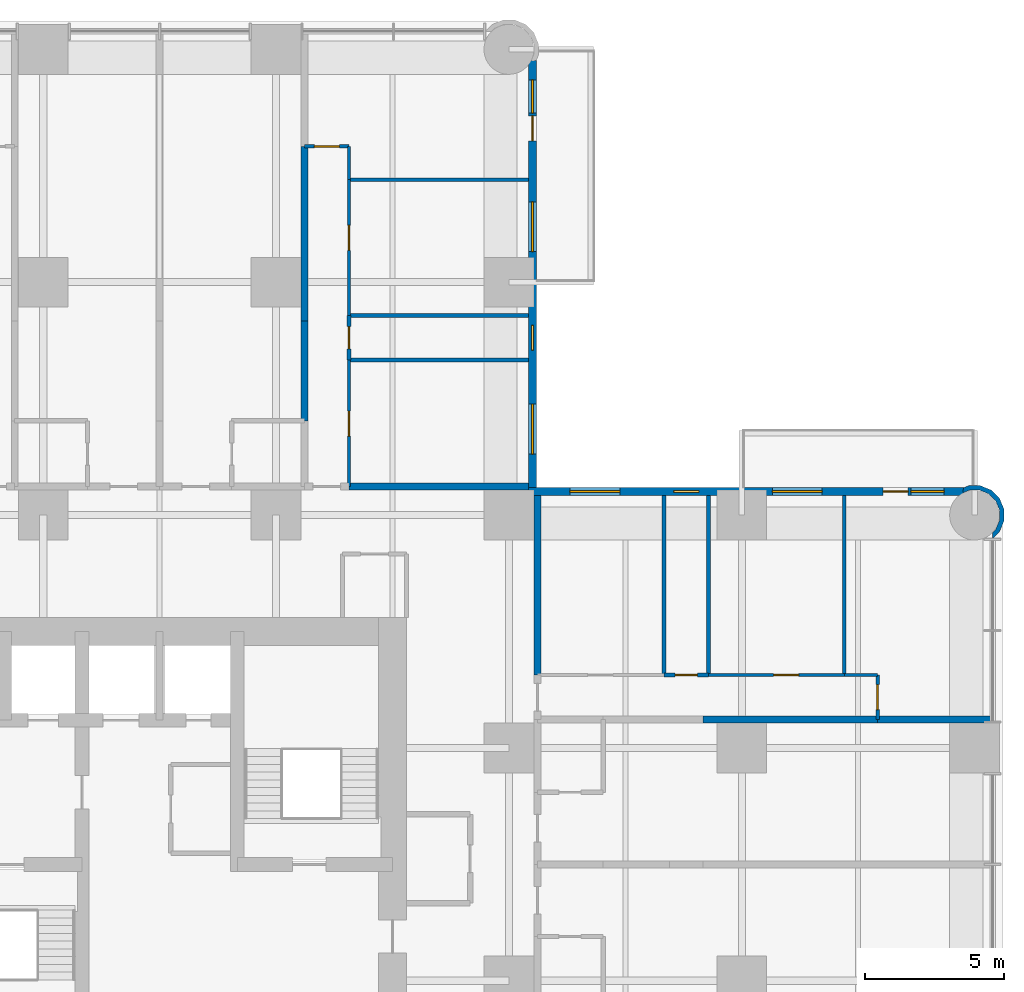
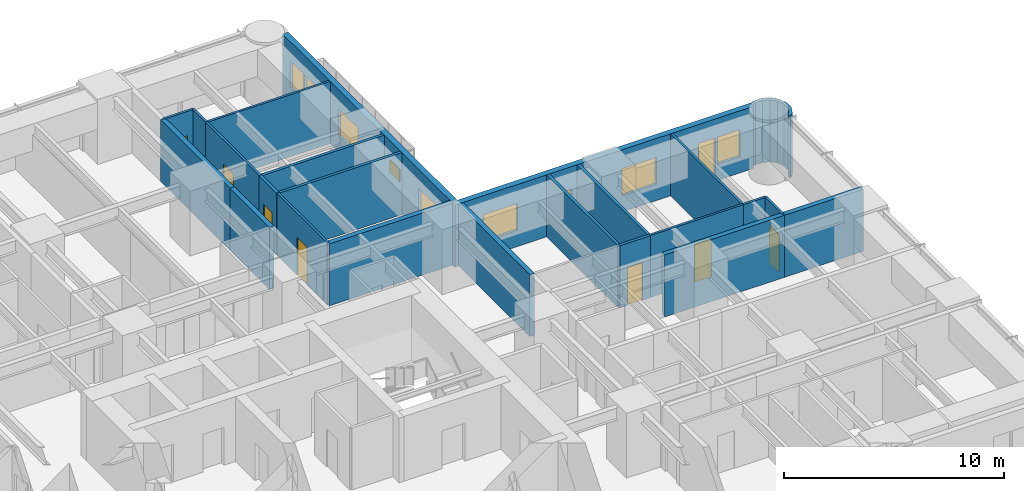
# One storey, part 14 of 17: 24 walls, 9 doors, 8 windows, 17 openings.
"""IFC4 building model written with IfcOpenShell, lengths in metres."""

import ifcopenshell
import ifcopenshell.guid

model = None  # the IFC model being written
_history = None  # IfcOwnerHistory: only IFC2X3 demands one
_inside = {}  # id of a spatial element -> (the spatial element, [elements in it])
_under = {}  # id of a project, library or spatial element -> (it, [spatial elements below it])
_declared = {}  # id of a project -> (the project, [libraries it declares])
_typed = {}  # id of a type object -> (the type object, [elements of that type])
_made_of = {}  # id of a material, layer set ... -> (it, [elements and type objects made of it])


def new_model(schema):
    """Start an empty IFC model of exactly this schema.

    Asked for "IFC4X3", IfcOpenShell would pick the latest addendum, in which some entities
    have other attributes; the version numbers below select the first issue.
    IFC2X3 requires an IfcOwnerHistory on every rooted entity: one is made here for all.
    """
    global model, _history
    if schema == "IFC4X3":
        model = ifcopenshell.file(schema_version=(4, 3, 0, 0))
    else:
        model = ifcopenshell.file(schema=schema)
    _inside.clear()
    _under.clear()
    _declared.clear()
    _typed.clear()
    _made_of.clear()
    _history = None
    if model.schema == "IFC2X3":
        org = make("IfcOrganization", Name="unknown")
        user = make(
            "IfcPersonAndOrganization",
            ThePerson=make("IfcPerson", FamilyName="unknown"),
            TheOrganization=org,
        )
        app = make(
            "IfcApplication",
            ApplicationDeveloper=org,
            Version="unknown",
            ApplicationFullName="unknown",
            ApplicationIdentifier="unknown",
        )
        _history = make(
            "IfcOwnerHistory",
            OwningUser=user,
            OwningApplication=app,
            ChangeAction="ADDED",
            CreationDate=0,
        )
    return model


def make(cls, **values):
    """One entity of the class cls with the attributes given. An attribute that is None is left unset."""
    return model.create_entity(
        cls, **{name: value for name, value in values.items() if value is not None}
    )


def rooted(cls, **values):
    """An entity with a GlobalId (a new one), such as an element, a storey or a relation."""
    return make(cls, GlobalId=ifcopenshell.guid.new(), OwnerHistory=_history, **values)


def si_unit(unit_type, name, prefix=None):
    """IfcSIUnit, for example si_unit("LENGTHUNIT", "METRE", prefix="MILLI")."""
    return make("IfcSIUnit", UnitType=unit_type, Prefix=prefix, Name=name)


def assignment(units):
    """IfcUnitAssignment: the units of a project."""
    return None if units is None else make("IfcUnitAssignment", Units=units)


def point(xyz):
    """IfcCartesianPoint."""
    return None if xyz is None else make("IfcCartesianPoint", Coordinates=xyz)


def direction(xyz):
    """IfcDirection."""
    return None if xyz is None else make("IfcDirection", DirectionRatios=xyz)


def frame(location, z_axis=None, x_axis=None):
    """IfcAxis2Placement3D, a coordinate frame: its origin and axes. An axis left out is left unset."""
    return make(
        "IfcAxis2Placement3D",
        Location=point(location),
        Axis=direction(z_axis),
        RefDirection=direction(x_axis),
    )


def frame_2d(location, x_axis=None):
    """IfcAxis2Placement2D, a coordinate frame in the plane: its origin and x axis."""
    return make(
        "IfcAxis2Placement2D", Location=point(location), RefDirection=direction(x_axis)
    )


def origin():
    """The frame at (0, 0, 0) with its axes left unset."""
    return frame((0.0, 0.0, 0.0))


def place(relative_to, where):
    """IfcLocalPlacement: puts the frame where relative to a parent placement (None: the world)."""
    return make(
        "IfcLocalPlacement", PlacementRelTo=relative_to, RelativePlacement=where
    )


def context(
    kind, dimensions, precision=None, world=None, true_north=None, identifier=None
):
    """IfcGeometricRepresentationContext, for example the 3D "Model" context."""
    return make(
        "IfcGeometricRepresentationContext",
        ContextIdentifier=identifier,
        ContextType=kind,
        CoordinateSpaceDimension=dimensions,
        Precision=precision,
        WorldCoordinateSystem=world,
        TrueNorth=true_north,
    )


def subcontext(parent, identifier, kind, view, scale=None):
    """IfcGeometricRepresentationSubContext, for example "Body" below "Model"."""
    return make(
        "IfcGeometricRepresentationSubContext",
        ContextIdentifier=identifier,
        ContextType=kind,
        ParentContext=parent,
        TargetScale=scale,
        TargetView=view,
    )


def project(units=None, contexts=None):
    """IfcProject with its units and contexts."""
    return rooted(
        "IfcProject",
        Name="project",
        RepresentationContexts=contexts,
        UnitsInContext=assignment(units),
    )


def spatial(cls, under=None, at=None, **own):
    """A site, building, storey or space (cls), placed at a placement, below another one or the project."""
    s = rooted(cls, ObjectPlacement=at, **own)
    if under is not None:
        _under.setdefault(under.id(), (under, []))[1].append(s)
    return s


def polyline(points):
    """IfcPolyline through the points."""
    return make("IfcPolyline", Points=[point(p) for p in points])


def profile(cls, at=None, kind="AREA", **sizes):
    """A parametric profile (cls). Its sizes go by their IFC names, for example OverallWidth=200.0."""
    return make(cls, ProfileType=kind, Position=at, **sizes)


def rectangle(**sizes):
    """IfcRectangleProfileDef."""
    return profile("IfcRectangleProfileDef", **sizes)


def outline(outer, holes=None, kind="AREA"):
    """IfcArbitraryClosedProfileDef: a profile drawn as a closed curve; with holes, ...WithVoids."""
    if holes is None:
        return make("IfcArbitraryClosedProfileDef", ProfileType=kind, OuterCurve=outer)
    return make(
        "IfcArbitraryProfileDefWithVoids",
        ProfileType=kind,
        OuterCurve=outer,
        InnerCurves=holes,
    )


def extrude(swept, where, along, depth):
    """IfcExtrudedAreaSolid: the profile swept, set in the frame where, extruded along a direction by depth."""
    return make(
        "IfcExtrudedAreaSolid",
        SweptArea=swept,
        Position=where,
        ExtrudedDirection=direction(along),
        Depth=depth,
    )


def shape(context_of_items, identifier, shape_type, items):
    """IfcShapeRepresentation: the items that make up one representation, for example the "Body"."""
    return make(
        "IfcShapeRepresentation",
        ContextOfItems=context_of_items,
        RepresentationIdentifier=identifier,
        RepresentationType=shape_type,
        Items=items,
    )


def material(Name=None, Category=None):
    """IfcMaterial."""
    return make("IfcMaterial", Name=Name, Category=Category)


def layer(
    of_material, thickness, ventilated=None, Name=None, Category=None, Priority=None
):
    """IfcMaterialLayer: one layer of a wall or slab, of a material (None: an air gap)."""
    return make(
        "IfcMaterialLayer",
        Material=of_material,
        LayerThickness=thickness,
        IsVentilated=ventilated,
        Name=Name,
        Category=Category,
        Priority=Priority,
    )


def layer_set(layers, Name=None):
    """IfcMaterialLayerSet."""
    return make("IfcMaterialLayerSet", MaterialLayers=layers, LayerSetName=Name)


def made_of(thing, what):
    """Note that an element or type object is made of a material, layer set ...; save() writes the relation."""
    if what is not None:
        _made_of.setdefault(what.id(), (what, []))[1].append(thing)
    return thing


def type_object(cls, material=None, **own):
    """A type object (cls), such as IfcWallType, which elements share."""
    return made_of(rooted(cls, **own), material)


def element(
    cls,
    number,
    at=None,
    inside=None,
    cuts=None,
    type_object=None,
    material=None,
    context=None,
    identifier="Body",
    shape_type=None,
    held_by="IfcProductDefinitionShape",
    body=None,
    shapes=None,
    **own,
):
    """One element of the class cls, such as IfcWall. Its Tag is "e" and its number.

    at: its placement. inside: the storey or other place that contains it. cuts: it is an
    opening in that element (IfcRelVoidsElement). A single representation is given by context,
    identifier, shape_type and body (its items); several are given by shapes. held_by: the class
    of the entity that holds the representations. save() writes the other relations.
    """
    e = rooted(cls, Tag="e%d" % number, ObjectPlacement=at, **own)
    if body is not None:
        shapes = [shape(context, identifier, shape_type, body)]
    if shapes is not None:
        e.Representation = make(held_by, Representations=shapes)
    if inside is not None:
        _inside.setdefault(inside.id(), (inside, []))[1].append(e)
    if cuts is not None:
        rooted(
            "IfcRelVoidsElement", RelatingBuildingElement=cuts, RelatedOpeningElement=e
        )
    if type_object is not None:
        _typed.setdefault(type_object.id(), (type_object, []))[1].append(e)
    return made_of(e, material)


def fill(opening, filler):
    """IfcRelFillsElement: the door or window that sits in an opening."""
    return rooted(
        "IfcRelFillsElement",
        RelatingOpeningElement=opening,
        RelatedBuildingElement=filler,
    )


def aggregate(whole, parts):
    """IfcRelAggregates: a whole, such as a stair, and the parts it consists of."""
    return rooted("IfcRelAggregates", RelatingObject=whole, RelatedObjects=parts)


def save(model, path):
    """Write the relations noted so far, then the file.

    IfcRelAggregates (storeys below a building ...), IfcRelContainedInSpatialStructure (elements
    in a storey), IfcRelDefinesByType, IfcRelAssociatesMaterial and IfcRelDeclares: one each for
    every whole, place, type object, material and project.
    """
    for whole, parts in _under.values():
        aggregate(whole, parts)
    for where, things in _inside.values():
        rooted(
            "IfcRelContainedInSpatialStructure",
            RelatedElements=things,
            RelatingStructure=where,
        )
    for kind, things in _typed.values():
        rooted("IfcRelDefinesByType", RelatedObjects=things, RelatingType=kind)
    for what, things in _made_of.values():
        rooted("IfcRelAssociatesMaterial", RelatedObjects=things, RelatingMaterial=what)
    for by, libraries in _declared.values():
        rooted("IfcRelDeclares", RelatingContext=by, RelatedDefinitions=libraries)
    model.write(path)


model = new_model("IFC4")

# Units and contexts
model_context = context("Model", 3, precision=1e-05, world=origin(), true_north=direction((0.0, 1.0)))
body_context = subcontext(model_context, "Body", "Model", "MODEL_VIEW")
ifc_project = project(units=[si_unit("LENGTHUNIT", "METRE"), si_unit("AREAUNIT", "SQUARE_METRE"), si_unit("VOLUMEUNIT", "CUBIC_METRE"), si_unit("PLANEANGLEUNIT", "RADIAN"), si_unit("MASSUNIT", "GRAM", prefix="KILO")], contexts=[model_context])

# Site, building, storey
site_placement = place(None, origin())
site = spatial("IfcSite", under=ifc_project, at=site_placement, CompositionType="ELEMENT")
building_placement = place(site_placement, origin())
building = spatial("IfcBuilding", under=site, at=building_placement, Name="Torre Alcanfor", CompositionType="ELEMENT")
storey_placement = place(building_placement, frame((0.0, 0.0, 84.89990234375)))
storey = spatial("IfcBuildingStorey", under=building, at=storey_placement, Name="L21", CompositionType="ELEMENT", Elevation=84.89990234375)

# Walls
ifc_material_1 = material(Name="Concrete block masonry, hollow blocks NMX-C-404 9 MPa", Category="masonry")
ifc_layer_1 = layer(ifc_material_1, 0.25)
ifc_layer_set_1 = layer_set([ifc_layer_1], Name="Apartment entrance wall 250 EI 60")
wall_type_1 = type_object("IfcWallType", Name="Apartment entrance wall 250 EI 60", PredefinedType="PARTITIONING", material=ifc_layer_set_1)
for number, where, z_axis, x_axis, name in (
    (1, (36.22900390625, 43.02490234375, 0.0), (0.0, 0.0, 1.0), (1.0, 0.0, 0.0), "Partition L21-CORR / L21-N2B-BED2"),
    (2, (43.02490234375, 42.699951171875, 0.0), (0.0, 0.0, 1.0), (0.0, -1.0, 0.0), "Partition L21-CORR / L21-E1B-BED2"),
):
    element("IfcWall", number, at=place(storey_placement, frame(where, z_axis=z_axis, x_axis=x_axis)), inside=storey, type_object=wall_type_1, Name=name, PredefinedType="PARTITIONING", context=body_context, shape_type="SweptSolid", body=[
        extrude(rectangle(XDim=6.470947265625, YDim=0.25, at=frame_2d((3.2353515625, 0.0))), origin(), (0.0, 0.0, 1.0), 3.4501953125),
    ])

# Wall, opening, door
ifc_material_2 = material(Name="Gypsum board on steel studs", Category="steel")
ifc_layer_2 = layer(ifc_material_2, 0.1201171875)
ifc_layer_set_2 = layer_set([ifc_layer_2], Name="Apartment partition 120")
wall_type_2 = type_object("IfcWallType", Name="Apartment partition 120", PredefinedType="PARTITIONING", material=ifc_layer_set_2)
wall_1_placement = place(storey_placement, frame((36.22900390625, 47.60009765625, 0.0), z_axis=(0.0, 0.0, 1.0), x_axis=(0.0, -1.0, 0.0)))
wall_1 = element("IfcWall", 3, at=wall_1_placement, inside=storey, type_object=wall_type_2, Name="Partition L21-N2B-HALL / L21-N2B-BED2", PredefinedType="PARTITIONING", context=body_context, shape_type="SweptSolid", body=[
    extrude(rectangle(XDim=4.5751953125, YDim=0.1201171875, at=frame_2d((2.28759765625, 0.0))), origin(), (0.0, 0.0, 1.0), 3.4501953125),
])
opening_1_placement = place(wall_1_placement, frame((1.85009765625, 0.0, 0.0)))
opening_1 = element("IfcOpeningElement", 4, at=opening_1_placement, cuts=wall_1, Name="Opening D-R1", PredefinedType="OPENING", context=body_context, shape_type="SweptSolid", body=[
    extrude(rectangle(XDim=0.89990234375, YDim=2.10009765625, at=frame_2d((0.449951171875, 1.050048828125))), frame((0.0, 0.070068359375, 0.0), z_axis=(0.0, -1.0, 0.0), x_axis=(1.0, 0.0, 0.0)), (0.0, 0.0, 1.0), 0.14013671875),
])
ifc_material_3 = material(Name="Timber", Category="wood")
door_type_1 = type_object("IfcDoorType", Name="Internal door 900x2100", OperationType="SINGLE_SWING_LEFT", PredefinedType="DOOR", material=ifc_material_3)
door_1_placement = place(opening_1_placement, origin())
door_1 = element("IfcDoor", 5, at=door_1_placement, inside=storey, type_object=door_type_1, Name="Door L21-N2B bed2", OperationType="SINGLE_SWING_RIGHT", OverallHeight=2.10009765625, OverallWidth=0.89990234375, PredefinedType="DOOR", context=body_context, shape_type="SweptSolid", body=[
    extrude(rectangle(XDim=0.89990234375, YDim=2.10009765625, at=frame_2d((0.449951171875, 1.050048828125))), frame((0.0, 0.02490234375, 0.0), z_axis=(0.0, -1.0, 0.0), x_axis=(1.0, 0.0, 0.0)), (0.0, 0.0, 1.0), 0.050048828125),
])
fill(opening_1, door_1)

wall_2_placement = place(storey_placement, frame((36.22900390625, 54.10009765625, 0.0), z_axis=(0.0, 0.0, 1.0), x_axis=(0.0, -1.0, 0.0)))
wall_2 = element("IfcWall", 6, at=wall_2_placement, inside=storey, type_object=wall_type_2, Name="Partition L21-N2B-HALL / L21-N2B-MASTER", PredefinedType="PARTITIONING", context=body_context, shape_type="SweptSolid", body=[
    extrude(rectangle(XDim=4.900146484375, YDim=0.1201171875, at=frame_2d((2.4501953125, 0.0))), origin(), (0.0, 0.0, 1.0), 3.4501953125),
])
opening_2_placement = place(wall_2_placement, frame((1.64990234375, 0.0, 0.0)))
opening_2 = element("IfcOpeningElement", 7, at=opening_2_placement, cuts=wall_2, Name="Opening D-R1", PredefinedType="OPENING", context=body_context, shape_type="SweptSolid", body=[
    extrude(rectangle(XDim=0.89990234375, YDim=2.10009765625, at=frame_2d((0.449951171875, 1.050048828125))), frame((0.0, 0.070068359375, 0.0), z_axis=(0.0, -1.0, 0.0), x_axis=(1.0, 0.0, 0.0)), (0.0, 0.0, 1.0), 0.14013671875),
])
door_2_placement = place(opening_2_placement, origin())
door_2 = element("IfcDoor", 8, at=door_2_placement, inside=storey, type_object=door_type_1, Name="Door L21-N2B master", OperationType="SINGLE_SWING_LEFT", OverallHeight=2.10009765625, OverallWidth=0.89990234375, PredefinedType="DOOR", context=body_context, shape_type="SweptSolid", body=[
    extrude(rectangle(XDim=0.89990234375, YDim=2.10009765625, at=frame_2d((0.449951171875, 1.050048828125))), frame((0.0, 0.02490234375, 0.0), z_axis=(0.0, -1.0, 0.0), x_axis=(1.0, 0.0, 0.0)), (0.0, 0.0, 1.0), 0.050048828125),
])
fill(opening_2, door_2)

# Wall
wall_3_placement = place(storey_placement, frame((36.22900390625, 55.300048828125, 0.0), z_axis=(0.0, 0.0, 1.0), x_axis=(0.0, -1.0, 0.0)))
element("IfcWall", 9, at=wall_3_placement, inside=storey, type_object=wall_type_2, Name="Partition L21-N2B-HALL / L21-N2B-KITCHEN", PredefinedType="PARTITIONING", context=body_context, shape_type="SweptSolid", body=[
    extrude(rectangle(XDim=1.199951171875, YDim=0.1201171875, at=frame_2d((0.60009765625, 0.0))), origin(), (0.0, 0.0, 1.0), 3.4501953125),
])

# Wall, opening, door
wall_4_placement = place(storey_placement, frame((34.62890625, 55.300048828125, 0.0), z_axis=(0.0, 0.0, 1.0), x_axis=(1.0, 0.0, 0.0)))
wall_4 = element("IfcWall", 10, at=wall_4_placement, inside=storey, type_object=wall_type_2, Name="Partition L21-N2B-HALL / L21-N2B-LIVING", PredefinedType="PARTITIONING", context=body_context, shape_type="SweptSolid", body=[
    extrude(rectangle(XDim=1.60009765625, YDim=0.1201171875, at=frame_2d((0.800048828125, 0.0))), origin(), (0.0, 0.0, 1.0), 3.4501953125),
])
opening_3_placement = place(wall_4_placement, frame((0.35009765625, 0.0, 0.0)))
opening_3 = element("IfcOpeningElement", 11, at=opening_3_placement, cuts=wall_4, Name="Opening D-R1", PredefinedType="OPENING", context=body_context, shape_type="SweptSolid", body=[
    extrude(rectangle(XDim=0.89990234375, YDim=2.10009765625, at=frame_2d((0.449951171875, 1.050048828125))), frame((0.0, 0.070068359375, 0.0), z_axis=(0.0, -1.0, 0.0), x_axis=(1.0, 0.0, 0.0)), (0.0, 0.0, 1.0), 0.14013671875),
])
door_3_placement = place(opening_3_placement, origin())
door_3 = element("IfcDoor", 12, at=door_3_placement, inside=storey, type_object=door_type_1, Name="Door L21-N2B living", OperationType="SINGLE_SWING_LEFT", OverallHeight=2.10009765625, OverallWidth=0.89990234375, PredefinedType="DOOR", context=body_context, shape_type="SweptSolid", body=[
    extrude(rectangle(XDim=0.89990234375, YDim=2.10009765625, at=frame_2d((0.449951171875, 1.050048828125))), frame((0.0, 0.02490234375, 0.0), z_axis=(0.0, -1.0, 0.0), x_axis=(1.0, 0.0, 0.0)), (0.0, 0.0, 1.0), 0.050048828125),
])
fill(opening_3, door_3)

# Wall
wall_5_placement = place(storey_placement, frame((36.22900390625, 54.10009765625, 0.0), z_axis=(0.0, 0.0, 1.0), x_axis=(1.0, 0.0, 0.0)))
element("IfcWall", 13, at=wall_5_placement, inside=storey, type_object=wall_type_2, Name="Partition L21-N2B-MASTER / L21-N2B-KITCHEN", PredefinedType="PARTITIONING", context=body_context, shape_type="SweptSolid", body=[
    extrude(rectangle(XDim=6.470947265625, YDim=0.1201171875, at=frame_2d((3.2353515625, 0.0))), origin(), (0.0, 0.0, 1.0), 3.4501953125),
])

# Wall, opening, door
wall_6_placement = place(storey_placement, frame((54.10009765625, 36.22900390625, 0.0), z_axis=(0.0, 0.0, 1.0), x_axis=(-1.0, 0.0, 0.0)))
wall_6 = element("IfcWall", 14, at=wall_6_placement, inside=storey, type_object=wall_type_2, Name="Partition L21-E1B-HALL / L21-E1B-MASTER", PredefinedType="PARTITIONING", context=body_context, shape_type="SweptSolid", body=[
    extrude(rectangle(XDim=4.900146484375, YDim=0.1201171875, at=frame_2d((2.4501953125, 0.0))), origin(), (0.0, 0.0, 1.0), 3.4501953125),
])
opening_4_placement = place(wall_6_placement, frame((1.64990234375, 0.0, 0.0)))
opening_4 = element("IfcOpeningElement", 15, at=opening_4_placement, cuts=wall_6, Name="Opening D-R1", PredefinedType="OPENING", context=body_context, shape_type="SweptSolid", body=[
    extrude(rectangle(XDim=0.89990234375, YDim=2.10009765625, at=frame_2d((0.449951171875, 1.050048828125))), frame((0.0, 0.070068359375, 0.0), z_axis=(0.0, -1.0, 0.0), x_axis=(1.0, 0.0, 0.0)), (0.0, 0.0, 1.0), 0.14013671875),
])
door_4_placement = place(opening_4_placement, frame((0.89990234375, 0.0, 0.0), z_axis=(0.0, 0.0, 1.0), x_axis=(-1.0, 0.0, 0.0)))
door_4 = element("IfcDoor", 16, at=door_4_placement, inside=storey, type_object=door_type_1, Name="Door L21-E1B master", OperationType="SINGLE_SWING_RIGHT", OverallHeight=2.10009765625, OverallWidth=0.89990234375, PredefinedType="DOOR", context=body_context, shape_type="SweptSolid", body=[
    extrude(rectangle(XDim=0.89990234375, YDim=2.10009765625, at=frame_2d((0.449951171875, 1.050048828125))), frame((0.0, 0.025146484375, 0.0), z_axis=(0.0, -1.0, 0.0), x_axis=(1.0, 0.0, 0.0)), (0.0, 0.0, 1.0), 0.050048828125),
])
fill(opening_4, door_4)

# Wall
wall_7_placement = place(storey_placement, frame((55.300048828125, 36.22900390625, 0.0), z_axis=(0.0, 0.0, 1.0), x_axis=(-1.0, 0.0, 0.0)))
element("IfcWall", 17, at=wall_7_placement, inside=storey, type_object=wall_type_2, Name="Partition L21-E1B-HALL / L21-E1B-KITCHEN", PredefinedType="PARTITIONING", context=body_context, shape_type="SweptSolid", body=[
    extrude(rectangle(XDim=1.199951171875, YDim=0.1201171875, at=frame_2d((0.60009765625, 0.0))), origin(), (0.0, 0.0, 1.0), 3.4501953125),
])

# Wall, opening, door
wall_8_placement = place(storey_placement, frame((55.300048828125, 34.62890625, 0.0), z_axis=(0.0, 0.0, 1.0), x_axis=(0.0, 1.0, 0.0)))
wall_8 = element("IfcWall", 18, at=wall_8_placement, inside=storey, type_object=wall_type_2, Name="Partition L21-E1B-HALL / L21-E1B-LIVING", PredefinedType="PARTITIONING", context=body_context, shape_type="SweptSolid", body=[
    extrude(rectangle(XDim=1.60009765625, YDim=0.1201171875, at=frame_2d((0.800048828125, 0.0))), origin(), (0.0, 0.0, 1.0), 3.4501953125),
])
opening_5_placement = place(wall_8_placement, frame((0.35009765625, 0.0, 0.0)))
opening_5 = element("IfcOpeningElement", 19, at=opening_5_placement, cuts=wall_8, Name="Opening D-R1", PredefinedType="OPENING", context=body_context, shape_type="SweptSolid", body=[
    extrude(rectangle(XDim=0.89990234375, YDim=2.10009765625, at=frame_2d((0.449951171875, 1.050048828125))), frame((0.0, 0.070068359375, 0.0), z_axis=(0.0, -1.0, 0.0), x_axis=(1.0, 0.0, 0.0)), (0.0, 0.0, 1.0), 0.14013671875),
])
door_5_placement = place(opening_5_placement, frame((0.89990234375, 0.0, 0.0), z_axis=(0.0, 0.0, 1.0), x_axis=(-1.0, 0.0, 0.0)))
door_5 = element("IfcDoor", 20, at=door_5_placement, inside=storey, type_object=door_type_1, Name="Door L21-E1B living", OperationType="SINGLE_SWING_RIGHT", OverallHeight=2.10009765625, OverallWidth=0.89990234375, PredefinedType="DOOR", context=body_context, shape_type="SweptSolid", body=[
    extrude(rectangle(XDim=0.89990234375, YDim=2.10009765625, at=frame_2d((0.449951171875, 1.050048828125))), frame((0.0, 0.025146484375, 0.0), z_axis=(0.0, -1.0, 0.0), x_axis=(1.0, 0.0, 0.0)), (0.0, 0.0, 1.0), 0.050048828125),
])
fill(opening_5, door_5)

# Wall
wall_9_placement = place(storey_placement, frame((54.10009765625, 36.22900390625, 0.0), z_axis=(0.0, 0.0, 1.0), x_axis=(0.0, 1.0, 0.0)))
element("IfcWall", 21, at=wall_9_placement, inside=storey, type_object=wall_type_2, Name="Partition L21-E1B-MASTER / L21-E1B-KITCHEN", PredefinedType="PARTITIONING", context=body_context, shape_type="SweptSolid", body=[
    extrude(rectangle(XDim=6.470947265625, YDim=0.1201171875, at=frame_2d((3.2353515625, 0.0))), origin(), (0.0, 0.0, 1.0), 3.4501953125),
])

# Wall, openings, door, windows
ifc_material_4 = material(Name="Limestone cladding", Category="masonry")
ifc_layer_3 = layer(ifc_material_4, 0.0400390625, Name="Facing")
ifc_material_5 = material(Name="Ventilated air cavity")
ifc_layer_4 = layer(ifc_material_5, 0.02001953125, ventilated=True, Name="Ventilated joint")
ifc_material_6 = material(Name="Mineral wool insulation", Category="insulation")
ifc_layer_5 = layer(ifc_material_6, 0.10009765625, Name="Insulation")
ifc_material_7 = material(Name="Concrete f'c 35 MPa", Category="concrete")
ifc_layer_6 = layer(ifc_material_7, 0.139892578125, Name="Backing")
ifc_layer_set_3 = layer_set([ifc_layer_3, ifc_layer_4, ifc_layer_5, ifc_layer_6], Name="External wall stone-clad 300")
wall_type_3 = type_object("IfcWallType", Name="External wall stone-clad 300", PredefinedType="SOLIDWALL", material=ifc_layer_set_3)
wall_10_placement = place(storey_placement, frame((58.39990234375, 42.85009765625, 0.0), z_axis=(0.0, 0.0, 1.0), x_axis=(-1.0, 0.0, 0.0)))
wall_10 = element("IfcWall", 22, at=wall_10_placement, inside=storey, type_object=wall_type_3, Name="External wall L21 9", PredefinedType="SOLIDWALL", context=body_context, shape_type="SweptSolid", body=[
    extrude(rectangle(XDim=15.699951171875, YDim=0.300048828125, at=frame_2d((7.85009765625, 0.0))), origin(), (0.0, 0.0, 1.0), 3.4501953125),
])
opening_6_placement = place(wall_10_placement, frame((12.39990234375, 0.0, 0.89990234375)))
opening_6 = element("IfcOpeningElement", 23, at=opening_6_placement, cuts=wall_10, Name="Opening W2", PredefinedType="OPENING", context=body_context, shape_type="SweptSolid", body=[
    extrude(rectangle(XDim=1.800048828125, YDim=1.5, at=frame_2d((0.89990234375, 0.75))), frame((0.0, 0.159912109375, 0.0), z_axis=(0.0, -1.0, 0.0), x_axis=(1.0, 0.0, 0.0)), (0.0, 0.0, 1.0), 0.320068359375),
])
opening_7_placement = place(wall_10_placement, frame((9.550048828125, 0.0, 1.5)))
opening_7 = element("IfcOpeningElement", 24, at=opening_7_placement, cuts=wall_10, Name="Opening W3", PredefinedType="OPENING", context=body_context, shape_type="SweptSolid", body=[
    extrude(rectangle(XDim=0.89990234375, YDim=0.699951171875, at=frame_2d((0.449951171875, 0.35009765625))), frame((0.0, 0.159912109375, 0.0), z_axis=(0.0, -1.0, 0.0), x_axis=(1.0, 0.0, 0.0)), (0.0, 0.0, 1.0), 0.320068359375),
])
opening_8_placement = place(wall_10_placement, frame((5.10009765625, 0.0, 0.89990234375)))
opening_8 = element("IfcOpeningElement", 25, at=opening_8_placement, cuts=wall_10, Name="Opening W2", PredefinedType="OPENING", context=body_context, shape_type="SweptSolid", body=[
    extrude(rectangle(XDim=1.800048828125, YDim=1.5, at=frame_2d((0.89990234375, 0.75))), frame((0.0, 0.159912109375, 0.0), z_axis=(0.0, -1.0, 0.0), x_axis=(1.0, 0.0, 0.0)), (0.0, 0.0, 1.0), 0.320068359375),
])
opening_9_placement = place(wall_10_placement, frame((2.0, 0.0, 0.0)))
opening_9 = element("IfcOpeningElement", 26, at=opening_9_placement, cuts=wall_10, Name="Opening D-B1", PredefinedType="OPENING", context=body_context, shape_type="SweptSolid", body=[
    extrude(rectangle(XDim=0.89990234375, YDim=2.39990234375, at=frame_2d((0.449951171875, 1.199951171875))), frame((0.0, 0.159912109375, 0.0), z_axis=(0.0, -1.0, 0.0), x_axis=(1.0, 0.0, 0.0)), (0.0, 0.0, 1.0), 0.320068359375),
])
opening_10_placement = place(wall_10_placement, frame((0.699951171875, 0.0, 0.89990234375)))
opening_10 = element("IfcOpeningElement", 27, at=opening_10_placement, cuts=wall_10, Name="Opening W4", PredefinedType="OPENING", context=body_context, shape_type="SweptSolid", body=[
    extrude(rectangle(XDim=1.199951171875, YDim=1.5, at=frame_2d((0.60009765625, 0.75))), frame((0.0, 0.159912109375, 0.0), z_axis=(0.0, -1.0, 0.0), x_axis=(1.0, 0.0, 0.0)), (0.0, 0.0, 1.0), 0.320068359375),
])
ifc_material_8 = material(Name="Aluminium and glass", Category="aluminium")
door_type_2 = type_object("IfcDoorType", Name="Balcony door glazed 900x2400", OperationType="SINGLE_SWING_LEFT", PredefinedType="DOOR", material=ifc_material_8)
door_6_placement = place(opening_9_placement, origin())
door_6 = element("IfcDoor", 28, at=door_6_placement, inside=storey, type_object=door_type_2, Name="Balcony door L21-E1", OperationType="SINGLE_SWING_RIGHT", OverallHeight=2.39990234375, OverallWidth=0.89990234375, PredefinedType="DOOR", context=body_context, shape_type="SweptSolid", body=[
    extrude(rectangle(XDim=0.89990234375, YDim=2.39990234375, at=frame_2d((0.449951171875, 1.199951171875))), frame((0.0, 0.02490234375, 0.0), z_axis=(0.0, -1.0, 0.0), x_axis=(1.0, 0.0, 0.0)), (0.0, 0.0, 1.0), 0.050048828125),
])
fill(opening_9, door_6)
ifc_material_9 = material(Name="Aluminium frame with clear double glazing", Category="aluminium")
window_type_1 = type_object("IfcWindowType", Name="Window bathroom 900x700", PartitioningType="SINGLE_PANEL", PredefinedType="WINDOW", material=ifc_material_9)
window_1_placement = place(opening_7_placement, origin())
window_1 = element("IfcWindow", 29, at=window_1_placement, inside=storey, type_object=window_type_1, Name="Window W3 L21-E1", OverallHeight=0.699951171875, OverallWidth=0.89990234375, PartitioningType="SINGLE_PANEL", PredefinedType="WINDOW", context=body_context, shape_type="SweptSolid", body=[
    extrude(rectangle(XDim=0.89990234375, YDim=0.699951171875, at=frame_2d((0.449951171875, 0.35009765625))), frame((0.0, 0.030029296875, 0.0), z_axis=(0.0, -1.0, 0.0), x_axis=(1.0, 0.0, 0.0)), (0.0, 0.0, 1.0), 0.06005859375),
])
fill(opening_7, window_1)
ifc_material_10 = material(Name="Aluminium frame with clear double glazing", Category="aluminium")
window_type_2 = type_object("IfcWindowType", Name="Window bedroom 1200x1500", PartitioningType="SINGLE_PANEL", PredefinedType="WINDOW", material=ifc_material_10)
window_2_placement = place(opening_10_placement, origin())
window_2 = element("IfcWindow", 30, at=window_2_placement, inside=storey, type_object=window_type_2, Name="Window W4 L21-E1", OverallHeight=1.5, OverallWidth=1.199951171875, PartitioningType="SINGLE_PANEL", PredefinedType="WINDOW", context=body_context, shape_type="SweptSolid", body=[
    extrude(rectangle(XDim=1.199951171875, YDim=1.5, at=frame_2d((0.60009765625, 0.75))), frame((0.0, 0.030029296875, 0.0), z_axis=(0.0, -1.0, 0.0), x_axis=(1.0, 0.0, 0.0)), (0.0, 0.0, 1.0), 0.06005859375),
])
fill(opening_10, window_2)
ifc_material_11 = material(Name="Aluminium frame with clear double glazing", Category="aluminium")
window_type_3 = type_object("IfcWindowType", Name="Window bedroom 1800x1500", PartitioningType="SINGLE_PANEL", PredefinedType="WINDOW", material=ifc_material_11)
window_3_placement = place(opening_6_placement, origin())
window_3 = element("IfcWindow", 31, at=window_3_placement, inside=storey, type_object=window_type_3, Name="Window W2 L21-E1", OverallHeight=1.5, OverallWidth=1.800048828125, PartitioningType="SINGLE_PANEL", PredefinedType="WINDOW", context=body_context, shape_type="SweptSolid", body=[
    extrude(rectangle(XDim=1.800048828125, YDim=1.5, at=frame_2d((0.89990234375, 0.75))), frame((0.0, 0.030029296875, 0.0), z_axis=(0.0, -1.0, 0.0), x_axis=(1.0, 0.0, 0.0)), (0.0, 0.0, 1.0), 0.06005859375),
])
fill(opening_6, window_3)
window_4_placement = place(opening_8_placement, origin())
window_4 = element("IfcWindow", 32, at=window_4_placement, inside=storey, type_object=window_type_3, Name="Window W2 L21-E1", OverallHeight=1.5, OverallWidth=1.800048828125, PartitioningType="SINGLE_PANEL", PredefinedType="WINDOW", context=body_context, shape_type="SweptSolid", body=[
    extrude(rectangle(XDim=1.800048828125, YDim=1.5, at=frame_2d((0.89990234375, 0.75))), frame((0.0, 0.030029296875, 0.0), z_axis=(0.0, -1.0, 0.0), x_axis=(1.0, 0.0, 0.0)), (0.0, 0.0, 1.0), 0.06005859375),
])
fill(opening_8, window_4)

wall_11_placement = place(storey_placement, frame((42.85009765625, 43.0, 0.0), z_axis=(0.0, 0.0, 1.0), x_axis=(0.0, 1.0, 0.0)))
wall_11 = element("IfcWall", 33, at=wall_11_placement, inside=storey, type_object=wall_type_3, Name="External wall L21 10", PredefinedType="SOLIDWALL", context=body_context, shape_type="SweptSolid", body=[
    extrude(rectangle(XDim=15.39990234375, YDim=0.300048828125, at=frame_2d((7.699951171875, 0.0))), origin(), (0.0, 0.0, 1.0), 3.4501953125),
])
opening_11_placement = place(wall_11_placement, frame((1.199951171875, 0.0, 0.89990234375)))
opening_11 = element("IfcOpeningElement", 34, at=opening_11_placement, cuts=wall_11, Name="Opening W2", PredefinedType="OPENING", context=body_context, shape_type="SweptSolid", body=[
    extrude(rectangle(XDim=1.800048828125, YDim=1.5, at=frame_2d((0.89990234375, 0.75))), frame((0.0, 0.159912109375, 0.0), z_axis=(0.0, -1.0, 0.0), x_axis=(1.0, 0.0, 0.0)), (0.0, 0.0, 1.0), 0.320068359375),
])
opening_12_placement = place(wall_11_placement, frame((4.949951171875, 0.0, 1.5)))
opening_12 = element("IfcOpeningElement", 35, at=opening_12_placement, cuts=wall_11, Name="Opening W3", PredefinedType="OPENING", context=body_context, shape_type="SweptSolid", body=[
    extrude(rectangle(XDim=0.89990234375, YDim=0.699951171875, at=frame_2d((0.449951171875, 0.35009765625))), frame((0.0, 0.159912109375, 0.0), z_axis=(0.0, -1.0, 0.0), x_axis=(1.0, 0.0, 0.0)), (0.0, 0.0, 1.0), 0.320068359375),
])
opening_13_placement = place(wall_11_placement, frame((8.5, 0.0, 0.89990234375)))
opening_13 = element("IfcOpeningElement", 36, at=opening_13_placement, cuts=wall_11, Name="Opening W2", PredefinedType="OPENING", context=body_context, shape_type="SweptSolid", body=[
    extrude(rectangle(XDim=1.800048828125, YDim=1.5, at=frame_2d((0.89990234375, 0.75))), frame((0.0, 0.159912109375, 0.0), z_axis=(0.0, -1.0, 0.0), x_axis=(1.0, 0.0, 0.0)), (0.0, 0.0, 1.0), 0.320068359375),
])
opening_14_placement = place(wall_11_placement, frame((12.5, 0.0, 0.0)))
opening_14 = element("IfcOpeningElement", 37, at=opening_14_placement, cuts=wall_11, Name="Opening D-B1", PredefinedType="OPENING", context=body_context, shape_type="SweptSolid", body=[
    extrude(rectangle(XDim=0.89990234375, YDim=2.39990234375, at=frame_2d((0.449951171875, 1.199951171875))), frame((0.0, 0.159912109375, 0.0), z_axis=(0.0, -1.0, 0.0), x_axis=(1.0, 0.0, 0.0)), (0.0, 0.0, 1.0), 0.320068359375),
])
opening_15_placement = place(wall_11_placement, frame((13.5, 0.0, 0.89990234375)))
opening_15 = element("IfcOpeningElement", 38, at=opening_15_placement, cuts=wall_11, Name="Opening W4", PredefinedType="OPENING", context=body_context, shape_type="SweptSolid", body=[
    extrude(rectangle(XDim=1.199951171875, YDim=1.5, at=frame_2d((0.60009765625, 0.75))), frame((0.0, 0.159912109375, 0.0), z_axis=(0.0, -1.0, 0.0), x_axis=(1.0, 0.0, 0.0)), (0.0, 0.0, 1.0), 0.320068359375),
])
door_7_placement = place(opening_14_placement, origin())
door_7 = element("IfcDoor", 39, at=door_7_placement, inside=storey, type_object=door_type_2, Name="Balcony door L21-N2", OperationType="SINGLE_SWING_LEFT", OverallHeight=2.39990234375, OverallWidth=0.89990234375, PredefinedType="DOOR", context=body_context, shape_type="SweptSolid", body=[
    extrude(rectangle(XDim=0.89990234375, YDim=2.39990234375, at=frame_2d((0.449951171875, 1.199951171875))), frame((0.0, 0.02490234375, 0.0), z_axis=(0.0, -1.0, 0.0), x_axis=(1.0, 0.0, 0.0)), (0.0, 0.0, 1.0), 0.050048828125),
])
fill(opening_14, door_7)
window_5_placement = place(opening_12_placement, origin())
window_5 = element("IfcWindow", 40, at=window_5_placement, inside=storey, type_object=window_type_1, Name="Window W3 L21-N2", OverallHeight=0.699951171875, OverallWidth=0.89990234375, PartitioningType="SINGLE_PANEL", PredefinedType="WINDOW", context=body_context, shape_type="SweptSolid", body=[
    extrude(rectangle(XDim=0.89990234375, YDim=0.699951171875, at=frame_2d((0.449951171875, 0.35009765625))), frame((0.0, 0.030029296875, 0.0), z_axis=(0.0, -1.0, 0.0), x_axis=(1.0, 0.0, 0.0)), (0.0, 0.0, 1.0), 0.06005859375),
])
fill(opening_12, window_5)
window_6_placement = place(opening_15_placement, origin())
window_6 = element("IfcWindow", 41, at=window_6_placement, inside=storey, type_object=window_type_2, Name="Window W4 L21-N2", OverallHeight=1.5, OverallWidth=1.199951171875, PartitioningType="SINGLE_PANEL", PredefinedType="WINDOW", context=body_context, shape_type="SweptSolid", body=[
    extrude(rectangle(XDim=1.199951171875, YDim=1.5, at=frame_2d((0.60009765625, 0.75))), frame((0.0, 0.030029296875, 0.0), z_axis=(0.0, -1.0, 0.0), x_axis=(1.0, 0.0, 0.0)), (0.0, 0.0, 1.0), 0.06005859375),
])
fill(opening_15, window_6)
window_7_placement = place(opening_11_placement, origin())
window_7 = element("IfcWindow", 42, at=window_7_placement, inside=storey, type_object=window_type_3, Name="Window W2 L21-N2", OverallHeight=1.5, OverallWidth=1.800048828125, PartitioningType="SINGLE_PANEL", PredefinedType="WINDOW", context=body_context, shape_type="SweptSolid", body=[
    extrude(rectangle(XDim=1.800048828125, YDim=1.5, at=frame_2d((0.89990234375, 0.75))), frame((0.0, 0.030029296875, 0.0), z_axis=(0.0, -1.0, 0.0), x_axis=(1.0, 0.0, 0.0)), (0.0, 0.0, 1.0), 0.06005859375),
])
fill(opening_11, window_7)
window_8_placement = place(opening_13_placement, origin())
window_8 = element("IfcWindow", 43, at=window_8_placement, inside=storey, type_object=window_type_3, Name="Window W2 L21-N2", OverallHeight=1.5, OverallWidth=1.800048828125, PartitioningType="SINGLE_PANEL", PredefinedType="WINDOW", context=body_context, shape_type="SweptSolid", body=[
    extrude(rectangle(XDim=1.800048828125, YDim=1.5, at=frame_2d((0.89990234375, 0.75))), frame((0.0, 0.030029296875, 0.0), z_axis=(0.0, -1.0, 0.0), x_axis=(1.0, 0.0, 0.0)), (0.0, 0.0, 1.0), 0.06005859375),
])
fill(opening_13, window_8)

# Walls
ifc_material_12 = material(Name="Concrete block masonry, hollow blocks NMX-C-404 9 MPa", Category="masonry")
ifc_layer_7 = layer(ifc_material_12, 0.25)
ifc_layer_set_4 = layer_set([ifc_layer_7], Name="Party wall 250 EI 60")
wall_type_4 = type_object("IfcWallType", Name="Party wall 250 EI 60", PredefinedType="PARTITIONING", material=ifc_layer_set_4)
wall_12_placement = place(storey_placement, frame((34.62890625, 49.0, 0.0), z_axis=(0.0, 0.0, 1.0), x_axis=(0.0, -1.0, 0.0)))
element("IfcWall", 44, at=wall_12_placement, inside=storey, type_object=wall_type_4, Name="Partition L21-N2A-KITCHEN / L21-N2B-HALL", PredefinedType="PARTITIONING", context=body_context, shape_type="SweptSolid", body=[
    extrude(rectangle(XDim=3.60009765625, YDim=0.25, at=frame_2d((1.800048828125, 0.0))), origin(), (0.0, 0.0, 1.0), 3.4501953125),
])
for number, where, z_axis, x_axis, name in (
    (45, (34.62890625, 55.300048828125, 0.0), (0.0, 0.0, 1.0), (0.0, -1.0, 0.0), "Partition L21-N2A-STUDIO / L21-N2B-HALL"),
    (46, (55.300048828125, 34.62890625, 0.0), (0.0, 0.0, 1.0), (-1.0, 0.0, 0.0), "Partition L21-E1A-STUDIO / L21-E1B-HALL"),
):
    element("IfcWall", number, at=place(storey_placement, frame(where, z_axis=z_axis, x_axis=x_axis)), inside=storey, type_object=wall_type_4, Name=name, PredefinedType="PARTITIONING", context=body_context, shape_type="SweptSolid", body=[
        extrude(rectangle(XDim=6.300048828125, YDim=0.25, at=frame_2d((3.14990234375, 0.0))), origin(), (0.0, 0.0, 1.0), 3.4501953125),
    ])
wall_13_placement = place(storey_placement, frame((59.449951171875, 34.62890625, 0.0), z_axis=(0.0, 0.0, 1.0), x_axis=(-1.0, 0.0, 0.0)))
element("IfcWall", 47, at=wall_13_placement, inside=storey, type_object=wall_type_4, Name="Partition L21-E1A-STUDIO / L21-E1B-LIVING", PredefinedType="PARTITIONING", context=body_context, shape_type="SweptSolid", body=[
    extrude(rectangle(XDim=4.14990234375, YDim=0.25, at=frame_2d((2.074951171875, 0.0))), origin(), (0.0, 0.0, 1.0), 3.4501953125),
])
ifc_layer_8 = layer(ifc_material_4, 0.0400390625, Name="Facing")
ifc_layer_9 = layer(ifc_material_5, 0.02001953125, ventilated=True, Name="Ventilated joint")
ifc_layer_10 = layer(ifc_material_6, 0.10009765625, Name="Insulation")
ifc_layer_11 = layer(ifc_material_7, 0.139892578125, Name="Backing")
ifc_layer_set_5 = layer_set([ifc_layer_8, ifc_layer_9, ifc_layer_10, ifc_layer_11], Name="Rounded corner pier stone-clad 300")
wall_type_5 = type_object("IfcWallType", Name="Rounded corner pier stone-clad 300", PredefinedType="SOLIDWALL", material=ifc_layer_set_5)
wall_14_placement = place(storey_placement, frame((59.410519256, 41.23340608, 0.0), z_axis=(0.0, 0.0, 1.0), x_axis=(0.926129809145, 0.377204953059, 0.0)))
element("IfcWall", 48, at=wall_14_placement, inside=storey, type_object=wall_type_5, Name="Corner pier L21 18", PredefinedType="SOLIDWALL", context=body_context, shape_type="SweptSolid", body=[
    extrude(outline(polyline([(0.6260654471319579, 0.34524919711057256), (0.7850146045978224, 0.7355079985228963), (0.7823098124660501, 1.1573373086599013), (0.6187697625812524, 1.546081906916958), (0.31877691555394516, 1.8425152342918512), (-0.07170799176881437, 2.0015564828107086), (-0.24004949470661174, 2.000526523212158), (-0.2695944713928893, 2.0173049949130335), (-0.36998902843916337, 1.8407134525266757), (-0.10235758996356603, 1.8421635923174307), (0.22956588655630128, 1.7069739265237522), (0.4845024203782949, 1.4552530429107593), (0.6236098424040335, 1.1249645948716174), (0.6257138051575375, 0.7663837026280839), (0.49052413936385914, 0.43446022610821644), (0.23848505878743742, 0.1793896774287799), (0.09020527382959523, 0.11693875386038477), (0.010914877202648991, -0.0777384350249053), (0.02448123182880161, -0.08326389820448342), (0.32940601384662893, 0.045348441136258355), (0.47997135267738844, 0.19755163478368112), (0.49907282709518125, 0.19267151555903828), (0.5076193949673722, 0.22530566424262682), (0.6260654471319579, 0.34524919711057256)])), origin(), (0.0, 0.0, 1.0), 3.4501953125),
])

# Wall, opening, door
ifc_material_13 = material(Name="Cement board on steel studs", Category="steel")
ifc_layer_12 = layer(ifc_material_13, 0.14990234375)
ifc_layer_set_6 = layer_set([ifc_layer_12], Name="Wet area partition 150")
wall_type_6 = type_object("IfcWallType", Name="Wet area partition 150", PredefinedType="PARTITIONING", material=ifc_layer_set_6)
wall_15_placement = place(storey_placement, frame((36.22900390625, 49.199951171875, 0.0), z_axis=(0.0, 0.0, 1.0), x_axis=(0.0, -1.0, 0.0)))
wall_15 = element("IfcWall", 49, at=wall_15_placement, inside=storey, type_object=wall_type_6, Name="Partition L21-N2B-HALL / L21-N2B-BATH", PredefinedType="PARTITIONING", context=body_context, shape_type="SweptSolid", body=[
    extrude(rectangle(XDim=1.599853515625, YDim=0.14990234375, at=frame_2d((0.7998046875, 0.0))), origin(), (0.0, 0.0, 1.0), 3.4501953125),
])
opening_16_placement = place(wall_15_placement, frame((0.39990234375, 0.0, 0.0)))
opening_16 = element("IfcOpeningElement", 50, at=opening_16_placement, cuts=wall_15, Name="Opening D-R2", PredefinedType="OPENING", context=body_context, shape_type="SweptSolid", body=[
    extrude(rectangle(XDim=0.800048828125, YDim=2.10009765625, at=frame_2d((0.39990234375, 1.050048828125))), frame((0.0, 0.0849609375, 0.0), z_axis=(0.0, -1.0, 0.0), x_axis=(1.0, 0.0, 0.0)), (0.0, 0.0, 1.0), 0.169921875),
])
ifc_material_14 = material(Name="Timber", Category="wood")
door_type_3 = type_object("IfcDoorType", Name="Bathroom door 800x2100", OperationType="SINGLE_SWING_LEFT", PredefinedType="DOOR", material=ifc_material_14)
door_8_placement = place(opening_16_placement, origin())
door_8 = element("IfcDoor", 51, at=door_8_placement, inside=storey, type_object=door_type_3, Name="Door L21-N2B bath", OperationType="SINGLE_SWING_LEFT", OverallHeight=2.10009765625, OverallWidth=0.800048828125, PredefinedType="DOOR", context=body_context, shape_type="SweptSolid", body=[
    extrude(rectangle(XDim=0.800048828125, YDim=2.10009765625, at=frame_2d((0.39990234375, 1.050048828125))), frame((0.0, 0.02490234375, 0.0), z_axis=(0.0, -1.0, 0.0), x_axis=(1.0, 0.0, 0.0)), (0.0, 0.0, 1.0), 0.050048828125),
])
fill(opening_16, door_8)

# Walls
for number, where, z_axis, x_axis, name in (
    (52, (36.22900390625, 47.60009765625, 0.0), (0.0, 0.0, 1.0), (1.0, 0.0, 0.0), "Partition L21-N2B-BED2 / L21-N2B-BATH"),
    (53, (36.22900390625, 49.199951171875, 0.0), (0.0, 0.0, 1.0), (1.0, 0.0, 0.0), "Partition L21-N2B-BATH / L21-N2B-MASTER"),
):
    element("IfcWall", number, at=place(storey_placement, frame(where, z_axis=z_axis, x_axis=x_axis)), inside=storey, type_object=wall_type_6, Name=name, PredefinedType="PARTITIONING", context=body_context, shape_type="SweptSolid", body=[
        extrude(rectangle(XDim=6.470947265625, YDim=0.14990234375, at=frame_2d((3.2353515625, 0.0))), origin(), (0.0, 0.0, 1.0), 3.4501953125),
    ])

# Wall, opening, door
wall_16_placement = place(storey_placement, frame((49.199951171875, 36.22900390625, 0.0), z_axis=(0.0, 0.0, 1.0), x_axis=(-1.0, 0.0, 0.0)))
wall_16 = element("IfcWall", 54, at=wall_16_placement, inside=storey, type_object=wall_type_6, Name="Partition L21-E1B-HALL / L21-E1B-BATH", PredefinedType="PARTITIONING", context=body_context, shape_type="SweptSolid", body=[
    extrude(rectangle(XDim=1.599853515625, YDim=0.14990234375, at=frame_2d((0.7998046875, 0.0))), origin(), (0.0, 0.0, 1.0), 3.4501953125),
])
opening_17_placement = place(wall_16_placement, frame((0.39990234375, 0.0, 0.0)))
opening_17 = element("IfcOpeningElement", 55, at=opening_17_placement, cuts=wall_16, Name="Opening D-R2", PredefinedType="OPENING", context=body_context, shape_type="SweptSolid", body=[
    extrude(rectangle(XDim=0.800048828125, YDim=2.10009765625, at=frame_2d((0.39990234375, 1.050048828125))), frame((0.0, 0.0849609375, 0.0), z_axis=(0.0, -1.0, 0.0), x_axis=(1.0, 0.0, 0.0)), (0.0, 0.0, 1.0), 0.169921875),
])
door_9_placement = place(opening_17_placement, frame((0.800048828125, 0.0, 0.0), z_axis=(0.0, 0.0, 1.0), x_axis=(-1.0, 0.0, 0.0)))
door_9 = element("IfcDoor", 56, at=door_9_placement, inside=storey, type_object=door_type_3, Name="Door L21-E1B bath", OperationType="SINGLE_SWING_RIGHT", OverallHeight=2.10009765625, OverallWidth=0.800048828125, PredefinedType="DOOR", context=body_context, shape_type="SweptSolid", body=[
    extrude(rectangle(XDim=0.800048828125, YDim=2.10009765625, at=frame_2d((0.400146484375, 1.050048828125))), frame((0.0, 0.025146484375, 0.0), z_axis=(0.0, -1.0, 0.0), x_axis=(1.0, 0.0, 0.0)), (0.0, 0.0, 1.0), 0.050048828125),
])
fill(opening_17, door_9)

# Walls
for number, where, z_axis, x_axis, name in (
    (57, (47.60009765625, 36.22900390625, 0.0), (0.0, 0.0, 1.0), (0.0, 1.0, 0.0), "Partition L21-E1B-BED2 / L21-E1B-BATH"),
    (58, (49.199951171875, 36.22900390625, 0.0), (0.0, 0.0, 1.0), (0.0, 1.0, 0.0), "Partition L21-E1B-BATH / L21-E1B-MASTER"),
):
    element("IfcWall", number, at=place(storey_placement, frame(where, z_axis=z_axis, x_axis=x_axis)), inside=storey, type_object=wall_type_6, Name=name, PredefinedType="PARTITIONING", context=body_context, shape_type="SweptSolid", body=[
        extrude(rectangle(XDim=6.470947265625, YDim=0.14990234375, at=frame_2d((3.2353515625, 0.0))), origin(), (0.0, 0.0, 1.0), 3.4501953125),
    ])

save(model, "model.ifc")
